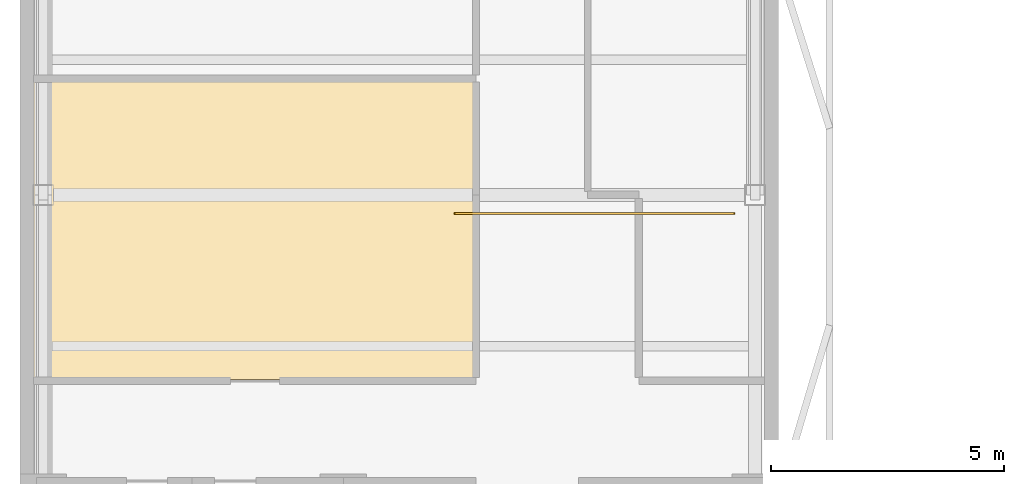
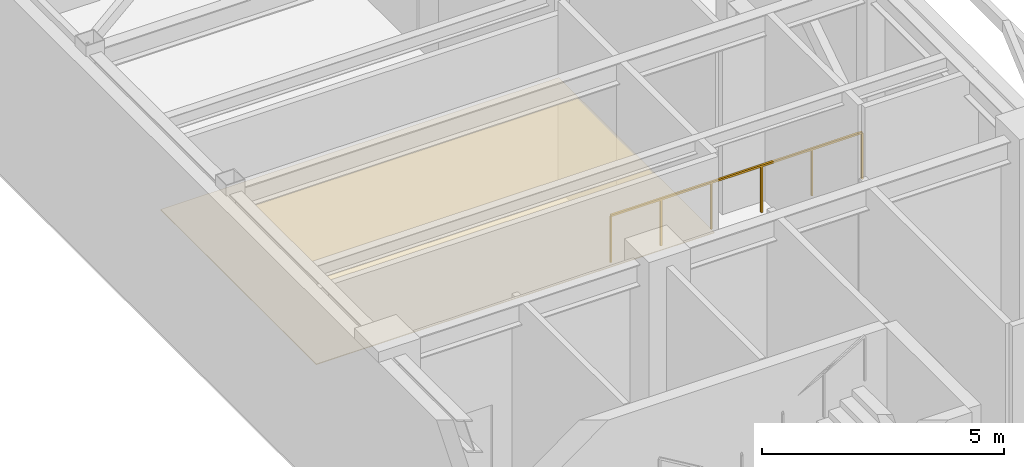
# One storey, part 7 of 7: 1 covering, 1 railing.
"""IFC4 building model written with IfcOpenShell, lengths in metres."""

import ifcopenshell
import ifcopenshell.guid

model = None  # the IFC model being written
_history = None  # IfcOwnerHistory: only IFC2X3 demands one
_inside = {}  # id of a spatial element -> (the spatial element, [elements in it])
_under = {}  # id of a project, library or spatial element -> (it, [spatial elements below it])
_declared = {}  # id of a project -> (the project, [libraries it declares])
_typed = {}  # id of a type object -> (the type object, [elements of that type])
_made_of = {}  # id of a material, layer set ... -> (it, [elements and type objects made of it])


def new_model(schema):
    """Start an empty IFC model of exactly this schema.

    Asked for "IFC4X3", IfcOpenShell would pick the latest addendum, in which some entities
    have other attributes; the version numbers below select the first issue.
    IFC2X3 requires an IfcOwnerHistory on every rooted entity: one is made here for all.
    """
    global model, _history
    if schema == "IFC4X3":
        model = ifcopenshell.file(schema_version=(4, 3, 0, 0))
    else:
        model = ifcopenshell.file(schema=schema)
    _inside.clear()
    _under.clear()
    _declared.clear()
    _typed.clear()
    _made_of.clear()
    _history = None
    if model.schema == "IFC2X3":
        org = make("IfcOrganization", Name="unknown")
        user = make(
            "IfcPersonAndOrganization",
            ThePerson=make("IfcPerson", FamilyName="unknown"),
            TheOrganization=org,
        )
        app = make(
            "IfcApplication",
            ApplicationDeveloper=org,
            Version="unknown",
            ApplicationFullName="unknown",
            ApplicationIdentifier="unknown",
        )
        _history = make(
            "IfcOwnerHistory",
            OwningUser=user,
            OwningApplication=app,
            ChangeAction="ADDED",
            CreationDate=0,
        )
    return model


def make(cls, **values):
    """One entity of the class cls with the attributes given. An attribute that is None is left unset."""
    return model.create_entity(
        cls, **{name: value for name, value in values.items() if value is not None}
    )


def rooted(cls, **values):
    """An entity with a GlobalId (a new one), such as an element, a storey or a relation."""
    return make(cls, GlobalId=ifcopenshell.guid.new(), OwnerHistory=_history, **values)


def si_unit(unit_type, name, prefix=None):
    """IfcSIUnit, for example si_unit("LENGTHUNIT", "METRE", prefix="MILLI")."""
    return make("IfcSIUnit", UnitType=unit_type, Prefix=prefix, Name=name)


def assignment(units):
    """IfcUnitAssignment: the units of a project."""
    return None if units is None else make("IfcUnitAssignment", Units=units)


def point(xyz):
    """IfcCartesianPoint."""
    return None if xyz is None else make("IfcCartesianPoint", Coordinates=xyz)


def direction(xyz):
    """IfcDirection."""
    return None if xyz is None else make("IfcDirection", DirectionRatios=xyz)


def frame(location, z_axis=None, x_axis=None):
    """IfcAxis2Placement3D, a coordinate frame: its origin and axes. An axis left out is left unset."""
    return make(
        "IfcAxis2Placement3D",
        Location=point(location),
        Axis=direction(z_axis),
        RefDirection=direction(x_axis),
    )


def frame_2d(location, x_axis=None):
    """IfcAxis2Placement2D, a coordinate frame in the plane: its origin and x axis."""
    return make(
        "IfcAxis2Placement2D", Location=point(location), RefDirection=direction(x_axis)
    )


def origin():
    """The frame at (0, 0, 0) with its axes left unset."""
    return frame((0.0, 0.0, 0.0))


def origin_2d():
    """The frame at (0, 0) in the plane with its x axis left unset."""
    return frame_2d((0.0, 0.0))


def place(relative_to, where):
    """IfcLocalPlacement: puts the frame where relative to a parent placement (None: the world)."""
    return make(
        "IfcLocalPlacement", PlacementRelTo=relative_to, RelativePlacement=where
    )


def context(
    kind, dimensions, precision=None, world=None, true_north=None, identifier=None
):
    """IfcGeometricRepresentationContext, for example the 3D "Model" context."""
    return make(
        "IfcGeometricRepresentationContext",
        ContextIdentifier=identifier,
        ContextType=kind,
        CoordinateSpaceDimension=dimensions,
        Precision=precision,
        WorldCoordinateSystem=world,
        TrueNorth=true_north,
    )


def subcontext(parent, identifier, kind, view, scale=None):
    """IfcGeometricRepresentationSubContext, for example "Body" below "Model"."""
    return make(
        "IfcGeometricRepresentationSubContext",
        ContextIdentifier=identifier,
        ContextType=kind,
        ParentContext=parent,
        TargetScale=scale,
        TargetView=view,
    )


def project(units=None, contexts=None):
    """IfcProject with its units and contexts."""
    return rooted(
        "IfcProject",
        Name="project",
        RepresentationContexts=contexts,
        UnitsInContext=assignment(units),
    )


def spatial(cls, under=None, at=None, **own):
    """A site, building, storey or space (cls), placed at a placement, below another one or the project."""
    s = rooted(cls, ObjectPlacement=at, **own)
    if under is not None:
        _under.setdefault(under.id(), (under, []))[1].append(s)
    return s


def polyline(points):
    """IfcPolyline through the points."""
    return make("IfcPolyline", Points=[point(p) for p in points])


def profile(cls, at=None, kind="AREA", **sizes):
    """A parametric profile (cls). Its sizes go by their IFC names, for example OverallWidth=200.0."""
    return make(cls, ProfileType=kind, Position=at, **sizes)


def rectangle(**sizes):
    """IfcRectangleProfileDef."""
    return profile("IfcRectangleProfileDef", **sizes)


def outline(outer, holes=None, kind="AREA"):
    """IfcArbitraryClosedProfileDef: a profile drawn as a closed curve; with holes, ...WithVoids."""
    if holes is None:
        return make("IfcArbitraryClosedProfileDef", ProfileType=kind, OuterCurve=outer)
    return make(
        "IfcArbitraryProfileDefWithVoids",
        ProfileType=kind,
        OuterCurve=outer,
        InnerCurves=holes,
    )


def extrude(swept, where, along, depth):
    """IfcExtrudedAreaSolid: the profile swept, set in the frame where, extruded along a direction by depth."""
    return make(
        "IfcExtrudedAreaSolid",
        SweptArea=swept,
        Position=where,
        ExtrudedDirection=direction(along),
        Depth=depth,
    )


def shape(context_of_items, identifier, shape_type, items):
    """IfcShapeRepresentation: the items that make up one representation, for example the "Body"."""
    return make(
        "IfcShapeRepresentation",
        ContextOfItems=context_of_items,
        RepresentationIdentifier=identifier,
        RepresentationType=shape_type,
        Items=items,
    )


def material(Name=None, Category=None):
    """IfcMaterial."""
    return make("IfcMaterial", Name=Name, Category=Category)


def layer(
    of_material, thickness, ventilated=None, Name=None, Category=None, Priority=None
):
    """IfcMaterialLayer: one layer of a wall or slab, of a material (None: an air gap)."""
    return make(
        "IfcMaterialLayer",
        Material=of_material,
        LayerThickness=thickness,
        IsVentilated=ventilated,
        Name=Name,
        Category=Category,
        Priority=Priority,
    )


def layer_set(layers, Name=None):
    """IfcMaterialLayerSet."""
    return make("IfcMaterialLayerSet", MaterialLayers=layers, LayerSetName=Name)


def made_of(thing, what):
    """Note that an element or type object is made of a material, layer set ...; save() writes the relation."""
    if what is not None:
        _made_of.setdefault(what.id(), (what, []))[1].append(thing)
    return thing


def type_object(cls, material=None, **own):
    """A type object (cls), such as IfcWallType, which elements share."""
    return made_of(rooted(cls, **own), material)


def element(
    cls,
    number,
    at=None,
    inside=None,
    cuts=None,
    type_object=None,
    material=None,
    context=None,
    identifier="Body",
    shape_type=None,
    held_by="IfcProductDefinitionShape",
    body=None,
    shapes=None,
    **own,
):
    """One element of the class cls, such as IfcWall. Its Tag is "e" and its number.

    at: its placement. inside: the storey or other place that contains it. cuts: it is an
    opening in that element (IfcRelVoidsElement). A single representation is given by context,
    identifier, shape_type and body (its items); several are given by shapes. held_by: the class
    of the entity that holds the representations. save() writes the other relations.
    """
    e = rooted(cls, Tag="e%d" % number, ObjectPlacement=at, **own)
    if body is not None:
        shapes = [shape(context, identifier, shape_type, body)]
    if shapes is not None:
        e.Representation = make(held_by, Representations=shapes)
    if inside is not None:
        _inside.setdefault(inside.id(), (inside, []))[1].append(e)
    if cuts is not None:
        rooted(
            "IfcRelVoidsElement", RelatingBuildingElement=cuts, RelatedOpeningElement=e
        )
    if type_object is not None:
        _typed.setdefault(type_object.id(), (type_object, []))[1].append(e)
    return made_of(e, material)


def aggregate(whole, parts):
    """IfcRelAggregates: a whole, such as a stair, and the parts it consists of."""
    return rooted("IfcRelAggregates", RelatingObject=whole, RelatedObjects=parts)


def save(model, path):
    """Write the relations noted so far, then the file.

    IfcRelAggregates (storeys below a building ...), IfcRelContainedInSpatialStructure (elements
    in a storey), IfcRelDefinesByType, IfcRelAssociatesMaterial and IfcRelDeclares: one each for
    every whole, place, type object, material and project.
    """
    for whole, parts in _under.values():
        aggregate(whole, parts)
    for where, things in _inside.values():
        rooted(
            "IfcRelContainedInSpatialStructure",
            RelatedElements=things,
            RelatingStructure=where,
        )
    for kind, things in _typed.values():
        rooted("IfcRelDefinesByType", RelatedObjects=things, RelatingType=kind)
    for what, things in _made_of.values():
        rooted("IfcRelAssociatesMaterial", RelatedObjects=things, RelatingMaterial=what)
    for by, libraries in _declared.values():
        rooted("IfcRelDeclares", RelatingContext=by, RelatedDefinitions=libraries)
    model.write(path)


model = new_model("IFC4")

# Units and contexts
model_context = context("Model", 3, precision=1e-05, world=origin(), true_north=direction((0.0, 1.0)))
body_context = subcontext(model_context, "Body", "Model", "MODEL_VIEW")
ifc_project = project(units=[si_unit("LENGTHUNIT", "METRE"), si_unit("AREAUNIT", "SQUARE_METRE"), si_unit("VOLUMEUNIT", "CUBIC_METRE"), si_unit("PLANEANGLEUNIT", "RADIAN"), si_unit("MASSUNIT", "GRAM", prefix="KILO")], contexts=[model_context])

# Site, building, storey
site_placement = place(None, origin())
site = spatial("IfcSite", under=ifc_project, at=site_placement, CompositionType="ELEMENT")
building_placement = place(site_placement, origin())
building = spatial("IfcBuilding", under=site, at=building_placement, Name="Mawjaban Terraces University", CompositionType="ELEMENT")
storey_placement = place(building_placement, frame((0.0, 0.0, 238.199951171875)))
storey = spatial("IfcBuildingStorey", under=building, at=storey_placement, Name="L58", CompositionType="ELEMENT", Elevation=238.199951171875)

# Covering
ifc_material_1 = material(Name="Acoustic mineral fibre ceiling tile", Category="masonry")
ifc_layer = layer(ifc_material_1, 0.02001953125)
ifc_layer_set = layer_set([ifc_layer], Name="Acoustic mineral fibre ceiling tile")
covering_type = type_object("IfcCoveringType", Name="AcousticMineralCeiling_20", PredefinedType="CEILING", material=ifc_layer_set)
covering_placement = place(storey_placement, frame((0.0, 0.0, 2.75)))
element("IfcCovering", 1, at=covering_placement, inside=storey, type_object=covering_type, Name="L58 Designated Smoke-Protected Refuge Area North Acoustic Ceiling", PredefinedType="CEILING", context=body_context, shape_type="SweptSolid", body=[
    extrude(outline(polyline([(22.114990234375, 26.030029296875), (31.6201171875, 26.030029296875), (31.6201171875, 32.469970703125), (22.114990234375, 32.469970703125), (22.114990234375, 26.030029296875)])), origin(), (0.0, 0.0, 1.0), 0.02001953125),
])

# Railing
ifc_material_2 = material(Name="Galvanised powder-coated steel S355", Category="steel")
railing_type = type_object("IfcRailingType", Name="TerraceGuardrail_1200", PredefinedType="GUARDRAIL", material=ifc_material_2)
railing_placement = place(storey_placement, frame((31.199951171875, 29.60009765625, 0.0)))
element("IfcRailing", 2, at=railing_placement, inside=storey, type_object=railing_type, Name="L58 Open-Band Refuge Guardrail North", PredefinedType="GUARDRAIL", context=body_context, shape_type="SweptSolid", body=[
    extrude(rectangle(XDim=0.048095703125, YDim=0.048095703125, at=origin_2d()), frame((0.0, 0.0, 1.17578125), z_axis=(1.0, 0.0, 0.0), x_axis=(0.0, 1.0, 0.0)), (0.0, 0.0, 1.0), 6.0),
    extrude(rectangle(XDim=0.0419921875, YDim=0.0419921875, at=origin_2d()), origin(), (0.0, 0.0, 1.0), 1.15185546875),
    extrude(rectangle(XDim=0.0419921875, YDim=0.0419921875, at=origin_2d()), frame((1.199951171875, 0.0, 0.0)), (0.0, 0.0, 1.0), 1.15185546875),
    extrude(rectangle(XDim=0.0419921875, YDim=0.0419921875, at=origin_2d()), frame((2.39990234375, 0.0, 0.0)), (0.0, 0.0, 1.0), 1.15185546875),
    extrude(rectangle(XDim=0.0419921875, YDim=0.0419921875, at=origin_2d()), frame((3.60009765625, 0.0, 0.0)), (0.0, 0.0, 1.0), 1.15185546875),
    extrude(rectangle(XDim=0.0419921875, YDim=0.0419921875, at=origin_2d()), frame((4.800048828125, 0.0, 0.0)), (0.0, 0.0, 1.0), 1.15185546875),
    extrude(rectangle(XDim=0.0419921875, YDim=0.0419921875, at=origin_2d()), frame((6.0, 0.0, 0.0)), (0.0, 0.0, 1.0), 1.15185546875),
])

save(model, "model.ifc")
